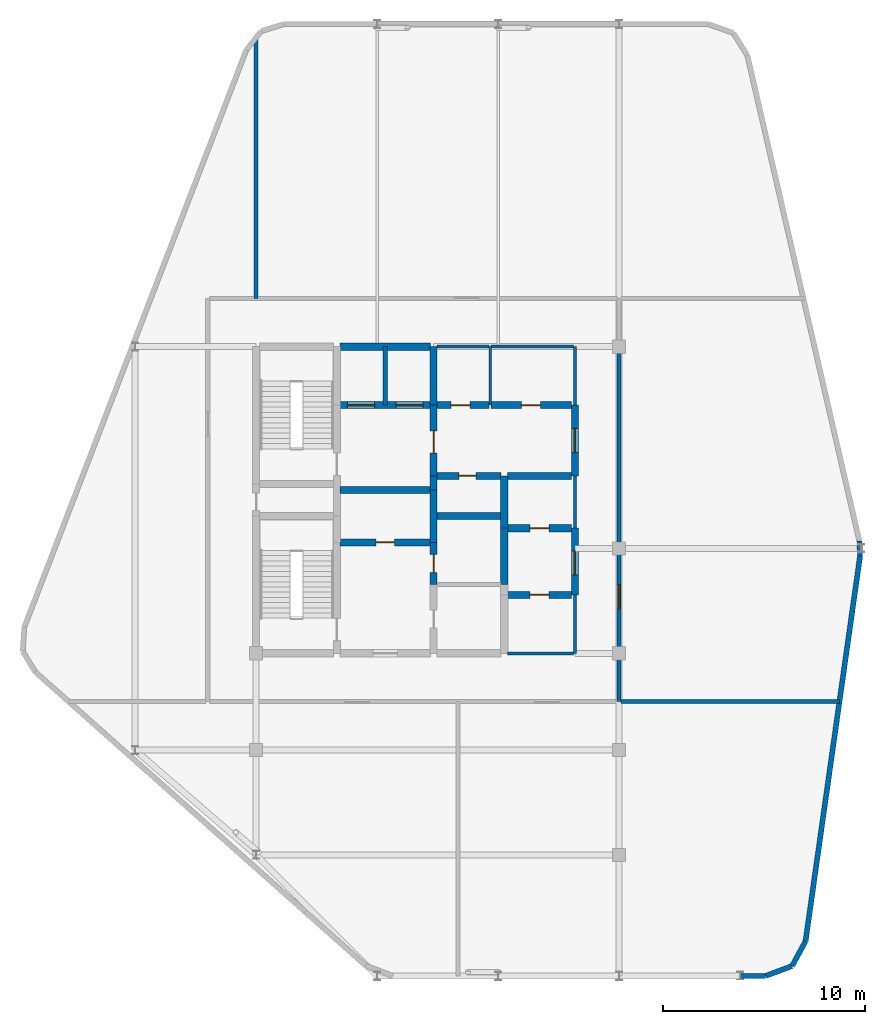
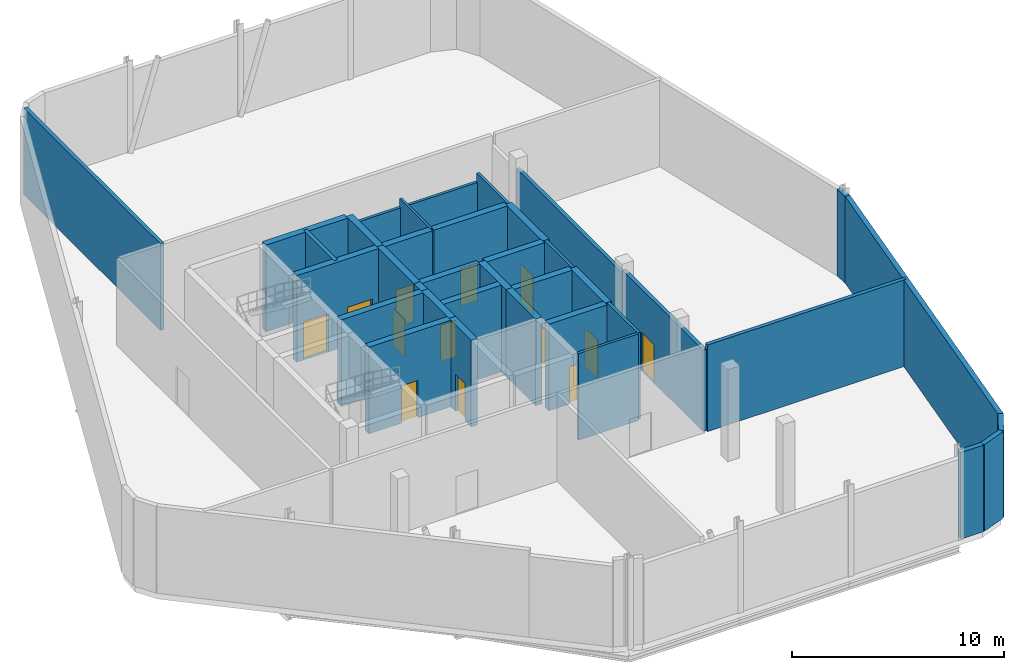
# One storey, part 4 of 6: 37 walls, 13 doors, 13 openings.
"""IFC4 building model written with IfcOpenShell, lengths in metres."""

from ifc_helpers import new_model, si_unit, direction, frame, frame_2d, origin, place, context, subcontext, project, spatial, rectangle, extrude, material, layer, layer_set, type_object, element, fill, save


model = new_model("IFC4")

# Units and contexts
model_context = context("Model", 3, precision=1e-05, world=origin(), true_north=direction((0.0, 1.0)))
body_context = subcontext(model_context, "Body", "Model", "MODEL_VIEW")
ifc_project = project(units=[si_unit("LENGTHUNIT", "METRE"), si_unit("AREAUNIT", "SQUARE_METRE"), si_unit("VOLUMEUNIT", "CUBIC_METRE"), si_unit("PLANEANGLEUNIT", "RADIAN"), si_unit("MASSUNIT", "GRAM", prefix="KILO")], contexts=[model_context])

# Site, building, storey
site_placement = place(None, origin())
site = spatial("IfcSite", under=ifc_project, at=site_placement, CompositionType="ELEMENT")
building_placement = place(site_placement, origin())
building = spatial("IfcBuilding", under=site, at=building_placement, Name="Keshet Zoharim Tower", CompositionType="ELEMENT")
storey_placement = place(building_placement, frame((0.0, 0.0, 314.699951171875)))
storey = spatial("IfcBuildingStorey", under=building, at=storey_placement, Name="L79", CompositionType="ELEMENT", Elevation=314.699951171875)

# Walls
ifc_material_1 = material(Name="Gypsum Plasterboard", Category="gypsum")
ifc_layer_1 = layer(ifc_material_1, 0.14990234375)
ifc_layer_set_1 = layer_set([ifc_layer_1], Name="Gypsum Plasterboard")
wall_type_1 = type_object("IfcWallType", Name="WL-CLIN-150", PredefinedType="STANDARD", material=ifc_layer_set_1)
wall_1_placement = place(storey_placement, frame((30.800048828125, 22.699951171875, 0.0), z_axis=(0.0, 0.0, 1.0), x_axis=(0.0, 1.0, 0.0)))
element("IfcWall", 1, at=wall_1_placement, inside=storey, type_object=wall_type_1, Name="L79 Interior Wall 023", PredefinedType="STANDARD", context=body_context, shape_type="SweptSolid", body=[
    extrude(rectangle(XDim=2.900146484375, YDim=0.14990234375, at=frame_2d((1.4501953125, 0.0))), origin(), (0.0, 0.0, 1.0), 4.989990234375),
])
wall_2_placement = place(storey_placement, frame((30.800048828125, 28.89990234375, 0.0), z_axis=(0.0, 0.0, 1.0), x_axis=(0.0, 1.0, 0.0)))
element("IfcWall", 2, at=wall_2_placement, inside=storey, type_object=wall_type_1, Name="L79 Interior Wall 025", PredefinedType="STANDARD", context=body_context, shape_type="SweptSolid", body=[
    extrude(rectangle(XDim=2.60009765625, YDim=0.14990234375, at=frame_2d((1.300048828125, 0.0))), origin(), (0.0, 0.0, 1.0), 4.989990234375),
])
wall_3_placement = place(storey_placement, frame((30.800048828125, 35.0, 0.0), z_axis=(0.0, 0.0, 1.0), x_axis=(0.0, 1.0, 0.0)))
element("IfcWall", 3, at=wall_3_placement, inside=storey, type_object=wall_type_1, Name="L79 Interior Wall 027", PredefinedType="STANDARD", context=body_context, shape_type="SweptSolid", body=[
    extrude(rectangle(XDim=2.89990234375, YDim=0.14990234375, at=frame_2d((1.449951171875, 0.0))), origin(), (0.0, 0.0, 1.0), 4.989990234375),
])
wall_4_placement = place(storey_placement, frame((27.4599609375, 22.699951171875, 0.0), z_axis=(0.0, 0.0, 1.0), x_axis=(1.0, 0.0, 0.0)))
element("IfcWall", 4, at=wall_4_placement, inside=storey, type_object=wall_type_1, Name="L79 Interior Wall 035", PredefinedType="STANDARD", context=body_context, shape_type="SweptSolid", body=[
    extrude(rectangle(XDim=3.280029296875, YDim=0.14990234375, at=frame_2d((1.64013671875, 0.0))), origin(), (0.0, 0.0, 1.0), 4.989990234375),
])
wall_5_placement = place(storey_placement, frame((23.9599609375, 37.89990234375, 0.0), z_axis=(0.0, 0.0, 1.0), x_axis=(1.0, 0.0, 0.0)))
element("IfcWall", 5, at=wall_5_placement, inside=storey, type_object=wall_type_1, Name="L79 Interior Wall 051", PredefinedType="STANDARD", context=body_context, shape_type="SweptSolid", body=[
    extrude(rectangle(XDim=2.594970703125, YDim=0.14990234375, at=frame_2d((1.29736328125, 0.0))), origin(), (0.0, 0.0, 1.0), 4.489990234375),
])
wall_6_placement = place(storey_placement, frame((26.64501953125, 37.89990234375, 0.0), z_axis=(0.0, 0.0, 1.0), x_axis=(1.0, 0.0, 0.0)))
element("IfcWall", 6, at=wall_6_placement, inside=storey, type_object=wall_type_1, Name="L79 Interior Wall 052", PredefinedType="STANDARD", context=body_context, shape_type="SweptSolid", body=[
    extrude(rectangle(XDim=4.094970703125, YDim=0.14990234375, at=frame_2d((2.04736328125, 0.0))), origin(), (0.0, 0.0, 1.0), 4.489990234375),
])

# Wall, opening, door
ifc_material_2 = material(Name="Concrete C60/75", Category="concrete")
ifc_layer_2 = layer(ifc_material_2, 0.35009765625)
ifc_layer_set_2 = layer_set([ifc_layer_2], Name="Concrete C60/75")
wall_type_2 = type_object("IfcWallType", Name="WL-CORE-350", PredefinedType="SHEAR", material=ifc_layer_set_2)
wall_7_placement = place(storey_placement, frame((23.800048828125, 26.10009765625, 0.0), z_axis=(0.0, 0.0, 1.0), x_axis=(0.0, 1.0, 0.0)))
wall_7 = element("IfcWall", 7, at=wall_7_placement, inside=storey, type_object=wall_type_2, Name="L79 Core Shear Wall 012", PredefinedType="SHEAR", context=body_context, shape_type="SweptSolid", body=[
    extrude(rectangle(XDim=2.099853515625, YDim=0.35009765625, at=frame_2d((1.0498046875, 0.0))), origin(), (0.0, 0.0, 1.0), 4.989990234375),
])
opening_1_placement = place(wall_7_placement, frame((0.60009765625, 0.0, 0.0)))
opening_1 = element("IfcOpeningElement", 8, at=opening_1_placement, cuts=wall_7, Name="Opening D-F690", PredefinedType="OPENING", context=body_context, shape_type="SweptSolid", body=[
    extrude(rectangle(XDim=0.89990234375, YDim=2.14990234375, at=frame_2d((0.449951171875, 1.074951171875))), frame((0.0, 0.18505859375, 0.0), z_axis=(0.0, -1.0, 0.0), x_axis=(1.0, 0.0, 0.0)), (0.0, 0.0, 1.0), 0.3701171875),
])
ifc_material_3 = material(Name="Hardwood Timber", Category="wood")
door_type_1 = type_object("IfcDoorType", Name="DR-FD60-090", OperationType="NOTDEFINED", PredefinedType="DOOR", material=ifc_material_3)
door_1_placement = place(opening_1_placement, origin())
door_1 = element("IfcDoor", 9, at=door_1_placement, inside=storey, type_object=door_type_1, Name="L79 Core Electrical Room Door", OperationType="SINGLE_SWING_LEFT", OverallHeight=2.14990234375, OverallWidth=0.89990234375, PredefinedType="DOOR", context=body_context, shape_type="SweptSolid", body=[
    extrude(rectangle(XDim=0.89990234375, YDim=2.14990234375, at=frame_2d((0.449951171875, 1.074951171875))), frame((0.0, 0.02490234375, 0.0), z_axis=(0.0, -1.0, 0.0), x_axis=(1.0, 0.0, 0.0)), (0.0, 0.0, 1.0), 0.050048828125),
])
fill(opening_1, door_1)

# Walls
wall_8_placement = place(storey_placement, frame((23.800048828125, 28.199951171875, 0.0), z_axis=(0.0, 0.0, 1.0), x_axis=(0.0, 1.0, 0.0)))
element("IfcWall", 10, at=wall_8_placement, inside=storey, type_object=wall_type_2, Name="L79 Core Shear Wall 013", PredefinedType="SHEAR", context=body_context, shape_type="SweptSolid", body=[
    extrude(rectangle(XDim=2.60009765625, YDim=0.35009765625, at=frame_2d((1.300048828125, 0.0))), origin(), (0.0, 0.0, 1.0), 4.989990234375),
])
wall_9_placement = place(storey_placement, frame((23.800048828125, 30.800048828125, 0.0), z_axis=(0.0, 0.0, 1.0), x_axis=(0.0, 1.0, 0.0)))
element("IfcWall", 11, at=wall_9_placement, inside=storey, type_object=wall_type_2, Name="L79 Core Shear Wall 014", PredefinedType="SHEAR", context=body_context, shape_type="SweptSolid", body=[
    extrude(rectangle(XDim=0.699951171875, YDim=0.35009765625, at=frame_2d((0.35009765625, 0.0))), origin(), (0.0, 0.0, 1.0), 4.989990234375),
])

# Wall, opening, door
wall_10_placement = place(storey_placement, frame((23.800048828125, 31.5, 0.0), z_axis=(0.0, 0.0, 1.0), x_axis=(0.0, 1.0, 0.0)))
wall_10 = element("IfcWall", 12, at=wall_10_placement, inside=storey, type_object=wall_type_2, Name="L79 Core Shear Wall 015", PredefinedType="SHEAR", context=body_context, shape_type="SweptSolid", body=[
    extrude(rectangle(XDim=3.5, YDim=0.35009765625, at=frame_2d((1.75, 0.0))), origin(), (0.0, 0.0, 1.0), 4.989990234375),
])
opening_2_placement = place(wall_10_placement, frame((1.126953125, 0.0, 0.0)))
opening_2 = element("IfcOpeningElement", 13, at=opening_2_placement, cuts=wall_10, Name="Opening D-F611", PredefinedType="OPENING", context=body_context, shape_type="SweptSolid", body=[
    extrude(rectangle(XDim=1.10009765625, YDim=2.14990234375, at=frame_2d((0.550048828125, 1.074951171875))), frame((0.0, 0.18505859375, 0.0), z_axis=(0.0, -1.0, 0.0), x_axis=(1.0, 0.0, 0.0)), (0.0, 0.0, 1.0), 0.3701171875),
])
door_type_2 = type_object("IfcDoorType", Name="DR-FD60-110", OperationType="NOTDEFINED", PredefinedType="DOOR", material=ifc_material_3)
door_2_placement = place(opening_2_placement, origin())
door_2 = element("IfcDoor", 14, at=door_2_placement, inside=storey, type_object=door_type_2, Name="L79 Firefighting Lobby Fire Door", OperationType="SINGLE_SWING_RIGHT", OverallHeight=2.14990234375, OverallWidth=1.10009765625, PredefinedType="DOOR", context=body_context, shape_type="SweptSolid", body=[
    extrude(rectangle(XDim=1.10009765625, YDim=2.14990234375, at=frame_2d((0.550048828125, 1.074951171875))), frame((0.0, 0.02490234375, 0.0), z_axis=(0.0, -1.0, 0.0), x_axis=(1.0, 0.0, 0.0)), (0.0, 0.0, 1.0), 0.050048828125),
])
fill(opening_2, door_2)

# Walls
wall_11_placement = place(storey_placement, frame((23.800048828125, 35.0, 0.0), z_axis=(0.0, 0.0, 1.0), x_axis=(0.0, 1.0, 0.0)))
element("IfcWall", 15, at=wall_11_placement, inside=storey, type_object=wall_type_2, Name="L79 Core Shear Wall 016", PredefinedType="SHEAR", context=body_context, shape_type="SweptSolid", body=[
    extrude(rectangle(XDim=2.89990234375, YDim=0.35009765625, at=frame_2d((1.449951171875, 0.0))), origin(), (0.0, 0.0, 1.0), 4.989990234375),
])
wall_12_placement = place(storey_placement, frame((27.300048828125, 26.10009765625, 0.0), z_axis=(0.0, 0.0, 1.0), x_axis=(0.0, 1.0, 0.0)))
element("IfcWall", 16, at=wall_12_placement, inside=storey, type_object=wall_type_2, Name="L79 Core Shear Wall 021", PredefinedType="SHEAR", context=body_context, shape_type="SweptSolid", body=[
    extrude(rectangle(XDim=2.7998046875, YDim=0.35009765625, at=frame_2d((1.39990234375, 0.0))), origin(), (0.0, 0.0, 1.0), 4.989990234375),
])
wall_13_placement = place(storey_placement, frame((27.300048828125, 28.89990234375, 0.0), z_axis=(0.0, 0.0, 1.0), x_axis=(0.0, 1.0, 0.0)))
element("IfcWall", 17, at=wall_13_placement, inside=storey, type_object=wall_type_2, Name="L79 Core Shear Wall 022", PredefinedType="SHEAR", context=body_context, shape_type="SweptSolid", body=[
    extrude(rectangle(XDim=2.60009765625, YDim=0.35009765625, at=frame_2d((1.300048828125, 0.0))), origin(), (0.0, 0.0, 1.0), 4.989990234375),
])

# Wall, opening, door
wall_14_placement = place(storey_placement, frame((30.800048828125, 25.60009765625, 0.0), z_axis=(0.0, 0.0, 1.0), x_axis=(0.0, 1.0, 0.0)))
wall_14 = element("IfcWall", 18, at=wall_14_placement, inside=storey, type_object=wall_type_2, Name="L79 Core Shear Wall 024", PredefinedType="SHEAR", context=body_context, shape_type="SweptSolid", body=[
    extrude(rectangle(XDim=3.2998046875, YDim=0.35009765625, at=frame_2d((1.64990234375, 0.0))), origin(), (0.0, 0.0, 1.0), 4.989990234375),
])
opening_3_placement = place(wall_14_placement, frame((0.97802734375, 0.0, 0.0)))
opening_3 = element("IfcOpeningElement", 19, at=opening_3_placement, cuts=wall_14, Name="Opening D-F612", PredefinedType="OPENING", context=body_context, shape_type="SweptSolid", body=[
    extrude(rectangle(XDim=1.199951171875, YDim=2.199951171875, at=frame_2d((0.60009765625, 1.10009765625))), frame((0.0, 0.18505859375, 0.0), z_axis=(0.0, -1.0, 0.0), x_axis=(1.0, 0.0, 0.0)), (0.0, 0.0, 1.0), 0.3701171875),
])
door_type_3 = type_object("IfcDoorType", Name="DR-FD60-120", OperationType="NOTDEFINED", PredefinedType="DOOR", material=ifc_material_3)
door_3_placement = place(opening_3_placement, origin())
door_3 = element("IfcDoor", 20, at=door_3_placement, inside=storey, type_object=door_type_3, Name="L79 East Lift Lobby Fire Door", OperationType="SINGLE_SWING_LEFT", OverallHeight=2.199951171875, OverallWidth=1.199951171875, PredefinedType="DOOR", context=body_context, shape_type="SweptSolid", body=[
    extrude(rectangle(XDim=1.199951171875, YDim=2.199951171875, at=frame_2d((0.60009765625, 1.10009765625))), frame((0.0, 0.02490234375, 0.0), z_axis=(0.0, -1.0, 0.0), x_axis=(1.0, 0.0, 0.0)), (0.0, 0.0, 1.0), 0.050048828125),
])
fill(opening_3, door_3)

wall_15_placement = place(storey_placement, frame((30.800048828125, 31.5, 0.0), z_axis=(0.0, 0.0, 1.0), x_axis=(0.0, 1.0, 0.0)))
wall_15 = element("IfcWall", 21, at=wall_15_placement, inside=storey, type_object=wall_type_2, Name="L79 Core Shear Wall 026", PredefinedType="SHEAR", context=body_context, shape_type="SweptSolid", body=[
    extrude(rectangle(XDim=3.5, YDim=0.35009765625, at=frame_2d((1.75, 0.0))), origin(), (0.0, 0.0, 1.0), 4.989990234375),
])
opening_4_placement = place(wall_15_placement, frame((1.14990234375, 0.0, 0.0)))
opening_4 = element("IfcOpeningElement", 22, at=opening_4_placement, cuts=wall_15, Name="Opening D-F612", PredefinedType="OPENING", context=body_context, shape_type="SweptSolid", body=[
    extrude(rectangle(XDim=1.199951171875, YDim=2.199951171875, at=frame_2d((0.60009765625, 1.10009765625))), frame((0.0, 0.18505859375, 0.0), z_axis=(0.0, -1.0, 0.0), x_axis=(1.0, 0.0, 0.0)), (0.0, 0.0, 1.0), 0.3701171875),
])
door_4_placement = place(opening_4_placement, origin())
door_4 = element("IfcDoor", 23, at=door_4_placement, inside=storey, type_object=door_type_3, Name="L79 North Lift Lobby East Fire Door", OperationType="SINGLE_SWING_RIGHT", OverallHeight=2.199951171875, OverallWidth=1.199951171875, PredefinedType="DOOR", context=body_context, shape_type="SweptSolid", body=[
    extrude(rectangle(XDim=1.199951171875, YDim=2.199951171875, at=frame_2d((0.60009765625, 1.10009765625))), frame((0.0, 0.02490234375, 0.0), z_axis=(0.0, -1.0, 0.0), x_axis=(1.0, 0.0, 0.0)), (0.0, 0.0, 1.0), 0.050048828125),
])
fill(opening_4, door_4)

wall_16_placement = place(storey_placement, frame((27.4599609375, 25.60009765625, 0.0), z_axis=(0.0, 0.0, 1.0), x_axis=(1.0, 0.0, 0.0)))
wall_16 = element("IfcWall", 24, at=wall_16_placement, inside=storey, type_object=wall_type_2, Name="L79 Core Shear Wall 036", PredefinedType="SHEAR", context=body_context, shape_type="SweptSolid", body=[
    extrude(rectangle(XDim=3.179931640625, YDim=0.35009765625, at=frame_2d((1.58984375, 0.0))), origin(), (0.0, 0.0, 1.0), 4.989990234375),
])
opening_5_placement = place(wall_16_placement, frame((1.114990234375, 0.0, 0.0)))
opening_5 = element("IfcOpeningElement", 25, at=opening_5_placement, cuts=wall_16, Name="Opening D-F695", PredefinedType="OPENING", context=body_context, shape_type="SweptSolid", body=[
    extrude(rectangle(XDim=0.949951171875, YDim=2.14990234375, at=frame_2d((0.47509765625, 1.074951171875))), frame((0.0, 0.18505859375, 0.0), z_axis=(0.0, -1.0, 0.0), x_axis=(1.0, 0.0, 0.0)), (0.0, 0.0, 1.0), 0.3701171875),
])
door_type_4 = type_object("IfcDoorType", Name="DR-FD60-095", OperationType="NOTDEFINED", PredefinedType="DOOR", material=ifc_material_3)
door_5_placement = place(opening_5_placement, origin())
door_5 = element("IfcDoor", 26, at=door_5_placement, inside=storey, type_object=door_type_4, Name="L79 Plant Valve Alcove Door", OperationType="SINGLE_SWING_LEFT", OverallHeight=2.14990234375, OverallWidth=0.949951171875, PredefinedType="DOOR", context=body_context, shape_type="SweptSolid", body=[
    extrude(rectangle(XDim=0.949951171875, YDim=2.14990234375, at=frame_2d((0.47509765625, 1.074951171875))), frame((0.0, 0.02490234375, 0.0), z_axis=(0.0, -1.0, 0.0), x_axis=(1.0, 0.0, 0.0)), (0.0, 0.0, 1.0), 0.050048828125),
])
fill(opening_5, door_5)

wall_17_placement = place(storey_placement, frame((19.159912109375, 28.199951171875, 0.0), z_axis=(0.0, 0.0, 1.0), x_axis=(1.0, 0.0, 0.0)))
wall_17 = element("IfcWall", 27, at=wall_17_placement, inside=storey, type_object=wall_type_2, Name="L79 Core Shear Wall 038", PredefinedType="SHEAR", context=body_context, shape_type="SweptSolid", body=[
    extrude(rectangle(XDim=4.47998046875, YDim=0.35009765625, at=frame_2d((2.239990234375, 0.0))), origin(), (0.0, 0.0, 1.0), 4.989990234375),
])
opening_6_placement = place(wall_17_placement, frame((1.7900390625, 0.0, 0.0)))
opening_6 = element("IfcOpeningElement", 28, at=opening_6_placement, cuts=wall_17, Name="Opening D-F690", PredefinedType="OPENING", context=body_context, shape_type="SweptSolid", body=[
    extrude(rectangle(XDim=0.89990234375, YDim=2.14990234375, at=frame_2d((0.449951171875, 1.074951171875))), frame((0.0, 0.18505859375, 0.0), z_axis=(0.0, -1.0, 0.0), x_axis=(1.0, 0.0, 0.0)), (0.0, 0.0, 1.0), 0.3701171875),
])
door_6_placement = place(opening_6_placement, frame((0.89990234375, 0.0, 0.0), z_axis=(0.0, 0.0, 1.0), x_axis=(-1.0, 0.0, 0.0)))
door_6 = element("IfcDoor", 29, at=door_6_placement, inside=storey, type_object=door_type_1, Name="L79 High-Rise Overrun Door", OperationType="SINGLE_SWING_RIGHT", OverallHeight=2.14990234375, OverallWidth=0.89990234375, PredefinedType="DOOR", context=body_context, shape_type="SweptSolid", body=[
    extrude(rectangle(XDim=0.89990234375, YDim=2.14990234375, at=frame_2d((0.449951171875, 1.074951171875))), frame((0.0, 0.02490234375, 0.0), z_axis=(0.0, -1.0, 0.0), x_axis=(1.0, 0.0, 0.0)), (0.0, 0.0, 1.0), 0.050048828125),
])
fill(opening_6, door_6)

wall_18_placement = place(storey_placement, frame((27.4599609375, 28.89990234375, 0.0), z_axis=(0.0, 0.0, 1.0), x_axis=(1.0, 0.0, 0.0)))
wall_18 = element("IfcWall", 30, at=wall_18_placement, inside=storey, type_object=wall_type_2, Name="L79 Core Shear Wall 039", PredefinedType="SHEAR", context=body_context, shape_type="SweptSolid", body=[
    extrude(rectangle(XDim=3.179931640625, YDim=0.35009765625, at=frame_2d((1.58984375, 0.0))), origin(), (0.0, 0.0, 1.0), 4.989990234375),
])
opening_7_placement = place(wall_18_placement, frame((1.114990234375, 0.0, 0.0)))
opening_7 = element("IfcOpeningElement", 31, at=opening_7_placement, cuts=wall_18, Name="Opening D-F695", PredefinedType="OPENING", context=body_context, shape_type="SweptSolid", body=[
    extrude(rectangle(XDim=0.949951171875, YDim=2.14990234375, at=frame_2d((0.47509765625, 1.074951171875))), frame((0.0, 0.18505859375, 0.0), z_axis=(0.0, -1.0, 0.0), x_axis=(1.0, 0.0, 0.0)), (0.0, 0.0, 1.0), 0.3701171875),
])
door_7_placement = place(opening_7_placement, frame((0.949951171875, 0.0, 0.0), z_axis=(0.0, 0.0, 1.0), x_axis=(-1.0, 0.0, 0.0)))
door_7 = element("IfcDoor", 32, at=door_7_placement, inside=storey, type_object=door_type_4, Name="L79 Parcel Store Door", OperationType="SINGLE_SWING_LEFT", OverallHeight=2.14990234375, OverallWidth=0.949951171875, PredefinedType="DOOR", context=body_context, shape_type="SweptSolid", body=[
    extrude(rectangle(XDim=0.949951171875, YDim=2.14990234375, at=frame_2d((0.47509765625, 1.074951171875))), frame((0.0, 0.02490234375, 0.0), z_axis=(0.0, -1.0, 0.0), x_axis=(1.0, 0.0, 0.0)), (0.0, 0.0, 1.0), 0.050048828125),
])
fill(opening_7, door_7)

# Walls
wall_19_placement = place(storey_placement, frame((23.9599609375, 29.5, 0.0), z_axis=(0.0, 0.0, 1.0), x_axis=(1.0, 0.0, 0.0)))
element("IfcWall", 33, at=wall_19_placement, inside=storey, type_object=wall_type_2, Name="L79 Core Shear Wall 041", PredefinedType="SHEAR", context=body_context, shape_type="SweptSolid", body=[
    extrude(rectangle(XDim=3.179931640625, YDim=0.35009765625, at=frame_2d((1.58984375, 0.0))), origin(), (0.0, 0.0, 1.0), 4.989990234375),
])
wall_20_placement = place(storey_placement, frame((19.159912109375, 30.800048828125, 0.0), z_axis=(0.0, 0.0, 1.0), x_axis=(1.0, 0.0, 0.0)))
element("IfcWall", 34, at=wall_20_placement, inside=storey, type_object=wall_type_2, Name="L79 Core Shear Wall 042", PredefinedType="SHEAR", context=body_context, shape_type="SweptSolid", body=[
    extrude(rectangle(XDim=4.47998046875, YDim=0.35009765625, at=frame_2d((2.239990234375, 0.0))), origin(), (0.0, 0.0, 1.0), 4.989990234375),
])

# Wall, opening, door
wall_21_placement = place(storey_placement, frame((23.9599609375, 31.5, 0.0), z_axis=(0.0, 0.0, 1.0), x_axis=(1.0, 0.0, 0.0)))
wall_21 = element("IfcWall", 35, at=wall_21_placement, inside=storey, type_object=wall_type_2, Name="L79 Core Shear Wall 044", PredefinedType="SHEAR", context=body_context, shape_type="SweptSolid", body=[
    extrude(rectangle(XDim=3.179931640625, YDim=0.35009765625, at=frame_2d((1.58984375, 0.0))), origin(), (0.0, 0.0, 1.0), 4.989990234375),
])
opening_8_placement = place(wall_21_placement, frame((1.093994140625, 0.0, 0.0)))
opening_8 = element("IfcOpeningElement", 36, at=opening_8_placement, cuts=wall_21, Name="Opening D-RS85", PredefinedType="OPENING", context=body_context, shape_type="SweptSolid", body=[
    extrude(rectangle(XDim=0.85009765625, YDim=2.10009765625, at=frame_2d((0.425048828125, 1.050048828125))), frame((0.0, 0.18505859375, 0.0), z_axis=(0.0, -1.0, 0.0), x_axis=(1.0, 0.0, 0.0)), (0.0, 0.0, 1.0), 0.3701171875),
])
door_type_5 = type_object("IfcDoorType", Name="DR-RIS-085", OperationType="NOTDEFINED", PredefinedType="DOOR", material=ifc_material_3)
door_8_placement = place(opening_8_placement, origin())
door_8 = element("IfcDoor", 37, at=door_8_placement, inside=storey, type_object=door_type_5, Name="L79 Telecom Riser Access Cupboard Door", OperationType="SINGLE_SWING_RIGHT", OverallHeight=2.10009765625, OverallWidth=0.85009765625, PredefinedType="DOOR", context=body_context, shape_type="SweptSolid", body=[
    extrude(rectangle(XDim=0.85009765625, YDim=2.10009765625, at=frame_2d((0.425048828125, 1.050048828125))), frame((0.0, 0.02490234375, 0.0), z_axis=(0.0, -1.0, 0.0), x_axis=(1.0, 0.0, 0.0)), (0.0, 0.0, 1.0), 0.050048828125),
])
fill(opening_8, door_8)

# Wall
wall_22_placement = place(storey_placement, frame((27.4599609375, 31.5, 0.0), z_axis=(0.0, 0.0, 1.0), x_axis=(1.0, 0.0, 0.0)))
element("IfcWall", 38, at=wall_22_placement, inside=storey, type_object=wall_type_2, Name="L79 Core Shear Wall 045", PredefinedType="SHEAR", context=body_context, shape_type="SweptSolid", body=[
    extrude(rectangle(XDim=3.179931640625, YDim=0.35009765625, at=frame_2d((1.58984375, 0.0))), origin(), (0.0, 0.0, 1.0), 4.989990234375),
])

# Wall, openings, doors
wall_23_placement = place(storey_placement, frame((19.159912109375, 35.0, 0.0), z_axis=(0.0, 0.0, 1.0), x_axis=(1.0, 0.0, 0.0)))
wall_23 = element("IfcWall", 39, at=wall_23_placement, inside=storey, type_object=wall_type_2, Name="L79 Core Shear Wall 046", PredefinedType="SHEAR", context=body_context, shape_type="SweptSolid", body=[
    extrude(rectangle(XDim=4.47998046875, YDim=0.35009765625, at=frame_2d((2.239990234375, 0.0))), origin(), (0.0, 0.0, 1.0), 4.989990234375),
])
opening_9_placement = place(wall_23_placement, frame((0.364990234375, 0.0, 0.0)))
opening_9 = element("IfcOpeningElement", 40, at=opening_9_placement, cuts=wall_23, Name="Opening LD-02", PredefinedType="OPENING", context=body_context, shape_type="SweptSolid", body=[
    extrude(rectangle(XDim=1.35009765625, YDim=2.199951171875, at=frame_2d((0.675048828125, 1.10009765625))), frame((0.0, 0.18505859375, 0.0), z_axis=(0.0, -1.0, 0.0), x_axis=(1.0, 0.0, 0.0)), (0.0, 0.0, 1.0), 0.3701171875),
])
opening_10_placement = place(wall_23_placement, frame((2.764892578125, 0.0, 0.0)))
opening_10 = element("IfcOpeningElement", 41, at=opening_10_placement, cuts=wall_23, Name="Opening LD-02", PredefinedType="OPENING", context=body_context, shape_type="SweptSolid", body=[
    extrude(rectangle(XDim=1.35009765625, YDim=2.199951171875, at=frame_2d((0.675048828125, 1.10009765625))), frame((0.0, 0.18505859375, 0.0), z_axis=(0.0, -1.0, 0.0), x_axis=(1.0, 0.0, 0.0)), (0.0, 0.0, 1.0), 0.3701171875),
])
ifc_material_4 = material(Name="Steel S355", Category="steel")
door_type_6 = type_object("IfcDoorType", Name="DR-LD02-135", OperationType="DOUBLE_DOOR_SLIDING", PredefinedType="DOOR", material=ifc_material_4)
door_9_placement = place(opening_9_placement, origin())
door_9 = element("IfcDoor", 42, at=door_9_placement, inside=storey, type_object=door_type_6, Name="L79 Firefighting Lift Landing Door FF-01", OperationType="DOUBLE_DOOR_SLIDING", OverallHeight=2.199951171875, OverallWidth=1.35009765625, PredefinedType="DOOR", context=body_context, shape_type="SweptSolid", body=[
    extrude(rectangle(XDim=1.35009765625, YDim=2.199951171875, at=frame_2d((0.675048828125, 1.10009765625))), frame((0.0, 0.02490234375, 0.0), z_axis=(0.0, -1.0, 0.0), x_axis=(1.0, 0.0, 0.0)), (0.0, 0.0, 1.0), 0.050048828125),
])
fill(opening_9, door_9)
door_10_placement = place(opening_10_placement, origin())
door_10 = element("IfcDoor", 43, at=door_10_placement, inside=storey, type_object=door_type_6, Name="L79 Firefighting Lift Landing Door FF-02", OperationType="DOUBLE_DOOR_SLIDING", OverallHeight=2.199951171875, OverallWidth=1.35009765625, PredefinedType="DOOR", context=body_context, shape_type="SweptSolid", body=[
    extrude(rectangle(XDim=1.35009765625, YDim=2.199951171875, at=frame_2d((0.675048828125, 1.10009765625))), frame((0.0, 0.02490234375, 0.0), z_axis=(0.0, -1.0, 0.0), x_axis=(1.0, 0.0, 0.0)), (0.0, 0.0, 1.0), 0.050048828125),
])
fill(opening_10, door_10)

# Wall, opening, door
wall_24_placement = place(storey_placement, frame((23.9599609375, 35.0, 0.0), z_axis=(0.0, 0.0, 1.0), x_axis=(1.0, 0.0, 0.0)))
wall_24 = element("IfcWall", 44, at=wall_24_placement, inside=storey, type_object=wall_type_2, Name="L79 Core Shear Wall 047", PredefinedType="SHEAR", context=body_context, shape_type="SweptSolid", body=[
    extrude(rectangle(XDim=2.594970703125, YDim=0.35009765625, at=frame_2d((1.29736328125, 0.0))), origin(), (0.0, 0.0, 1.0), 4.989990234375),
])
opening_11_placement = place(wall_24_placement, frame((0.69091796875, 0.0, 0.0)))
opening_11 = element("IfcOpeningElement", 45, at=opening_11_placement, cuts=wall_24, Name="Opening D-F695", PredefinedType="OPENING", context=body_context, shape_type="SweptSolid", body=[
    extrude(rectangle(XDim=0.949951171875, YDim=2.14990234375, at=frame_2d((0.47509765625, 1.074951171875))), frame((0.0, 0.18505859375, 0.0), z_axis=(0.0, -1.0, 0.0), x_axis=(1.0, 0.0, 0.0)), (0.0, 0.0, 1.0), 0.3701171875),
])
door_11_placement = place(opening_11_placement, frame((0.949951171875, 0.0, 0.0), z_axis=(0.0, 0.0, 1.0), x_axis=(-1.0, 0.0, 0.0)))
door_11 = element("IfcDoor", 46, at=door_11_placement, inside=storey, type_object=door_type_4, Name="L79 Plant Maintenance Store Door", OperationType="SINGLE_SWING_LEFT", OverallHeight=2.14990234375, OverallWidth=0.949951171875, PredefinedType="DOOR", context=body_context, shape_type="SweptSolid", body=[
    extrude(rectangle(XDim=0.949951171875, YDim=2.14990234375, at=frame_2d((0.47509765625, 1.074951171875))), frame((0.0, 0.02490234375, 0.0), z_axis=(0.0, -1.0, 0.0), x_axis=(1.0, 0.0, 0.0)), (0.0, 0.0, 1.0), 0.050048828125),
])
fill(opening_11, door_11)

wall_25_placement = place(storey_placement, frame((26.64501953125, 35.0, 0.0), z_axis=(0.0, 0.0, 1.0), x_axis=(1.0, 0.0, 0.0)))
wall_25 = element("IfcWall", 47, at=wall_25_placement, inside=storey, type_object=wall_type_2, Name="L79 Core Shear Wall 048", PredefinedType="SHEAR", context=body_context, shape_type="SweptSolid", body=[
    extrude(rectangle(XDim=3.994873046875, YDim=0.35009765625, at=frame_2d((1.99755859375, 0.0))), origin(), (0.0, 0.0, 1.0), 4.989990234375),
])
opening_12_placement = place(wall_25_placement, frame((1.508056640625, 0.0, 0.0)))
opening_12 = element("IfcOpeningElement", 48, at=opening_12_placement, cuts=wall_25, Name="Opening D-F695", PredefinedType="OPENING", context=body_context, shape_type="SweptSolid", body=[
    extrude(rectangle(XDim=0.949951171875, YDim=2.14990234375, at=frame_2d((0.47509765625, 1.074951171875))), frame((0.0, 0.18505859375, 0.0), z_axis=(0.0, -1.0, 0.0), x_axis=(1.0, 0.0, 0.0)), (0.0, 0.0, 1.0), 0.3701171875),
])
door_12_placement = place(opening_12_placement, frame((0.949951171875, 0.0, 0.0), z_axis=(0.0, 0.0, 1.0), x_axis=(-1.0, 0.0, 0.0)))
door_12 = element("IfcDoor", 49, at=door_12_placement, inside=storey, type_object=door_type_4, Name="L79 Plant Spares Store Door", OperationType="SINGLE_SWING_RIGHT", OverallHeight=2.14990234375, OverallWidth=0.949951171875, PredefinedType="DOOR", context=body_context, shape_type="SweptSolid", body=[
    extrude(rectangle(XDim=0.949951171875, YDim=2.14990234375, at=frame_2d((0.47509765625, 1.074951171875))), frame((0.0, 0.02490234375, 0.0), z_axis=(0.0, -1.0, 0.0), x_axis=(1.0, 0.0, 0.0)), (0.0, 0.0, 1.0), 0.050048828125),
])
fill(opening_12, door_12)

# Walls
wall_26_placement = place(storey_placement, frame((19.159912109375, 37.89990234375, 0.0), z_axis=(0.0, 0.0, 1.0), x_axis=(1.0, 0.0, 0.0)))
element("IfcWall", 50, at=wall_26_placement, inside=storey, type_object=wall_type_2, Name="L79 Core Shear Wall 050", PredefinedType="SHEAR", context=body_context, shape_type="SweptSolid", body=[
    extrude(rectangle(XDim=4.47998046875, YDim=0.35009765625, at=frame_2d((2.239990234375, 0.0))), origin(), (0.0, 0.0, 1.0), 4.989990234375),
])
ifc_material_5 = material(Name="Concrete C50/60 precast", Category="concrete")
ifc_layer_3 = layer(ifc_material_5, 0.260009765625)
ifc_layer_set_3 = layer_set([ifc_layer_3], Name="Concrete C50/60 precast")
wall_type_3 = type_object("IfcWallType", Name="WL-EXT-260", PredefinedType="STANDARD", material=ifc_layer_set_3)
wall_27_placement = place(storey_placement, frame((44.916015625, 28.261962890625, 0.0), z_axis=(0.0, 0.0, 1.0), x_axis=(0.043770719053, -0.999041602814, 0.0)))
element("IfcWall", 51, at=wall_27_placement, inside=storey, type_object=wall_type_3, Name="L79 Exterior Facade Wall 10", PredefinedType="STANDARD", context=body_context, shape_type="SweptSolid", body=[
    extrude(rectangle(XDim=0.730712890625, YDim=0.260009765625, at=frame_2d((0.365234375, 0.0))), origin(), (0.0, 0.0, 1.0), 4.989990234375),
])
wall_28_placement = place(storey_placement, frame((44.947998046875, 27.531982421875, 0.0), z_axis=(0.0, 0.0, 1.0), x_axis=(-0.140140996848, -0.990131557422, 0.0)))
element("IfcWall", 52, at=wall_28_placement, inside=storey, type_object=wall_type_3, Name="L79 Exterior Facade Wall 11", PredefinedType="STANDARD", context=body_context, shape_type="SweptSolid", body=[
    extrude(rectangle(XDim=19.302490234375, YDim=0.260009765625, at=frame_2d((9.6513671875, 0.0))), origin(), (0.0, 0.0, 1.0), 4.989990234375),
])
wall_29_placement = place(storey_placement, frame((42.242919921875, 8.419921875, 0.0), z_axis=(0.0, 0.0, 1.0), x_axis=(-0.477776668589, -0.878481334436, 0.0)))
element("IfcWall", 53, at=wall_29_placement, inside=storey, type_object=wall_type_3, Name="L79 Exterior Facade Wall 12", PredefinedType="STANDARD", context=body_context, shape_type="SweptSolid", body=[
    extrude(rectangle(XDim=1.400146484375, YDim=0.260009765625, at=frame_2d((0.7001953125, 0.0))), origin(), (0.0, 0.0, 1.0), 4.989990234375),
])
wall_30_placement = place(storey_placement, frame((41.573974609375, 7.18994140625, 0.0), z_axis=(0.0, 0.0, 1.0), x_axis=(-0.936715710775, -0.350090955591, 0.0)))
element("IfcWall", 54, at=wall_30_placement, inside=storey, type_object=wall_type_3, Name="L79 Exterior Facade Wall 13", PredefinedType="STANDARD", context=body_context, shape_type="SweptSolid", body=[
    extrude(rectangle(XDim=1.399658203125, YDim=0.260009765625, at=frame_2d((0.69970703125, 0.0))), origin(), (0.0, 0.0, 1.0), 4.989990234375),
])
wall_31_placement = place(storey_placement, frame((40.262939453125, 6.699951171875, 0.0), z_axis=(0.0, 0.0, 1.0), x_axis=(-1.0, 0.0, 0.0)))
element("IfcWall", 55, at=wall_31_placement, inside=storey, type_object=wall_type_3, Name="L79 Exterior Facade Wall 14", PredefinedType="STANDARD", context=body_context, shape_type="SweptSolid", body=[
    extrude(rectangle(XDim=1.262939453125, YDim=0.260009765625, at=frame_2d((0.63134765625, 0.0))), origin(), (0.0, 0.0, 1.0), 4.989990234375),
])
ifc_material_6 = material(Name="Concrete C50/60", Category="concrete")
ifc_layer_4 = layer(ifc_material_6, 0.199951171875)
ifc_layer_set_4 = layer_set([ifc_layer_4], Name="Concrete C50/60")
wall_type_4 = type_object("IfcWallType", Name="WL-FIRE-200", PredefinedType="STANDARD", material=ifc_layer_set_4)
wall_32_placement = place(storey_placement, frame((15.0, 40.300048828125, 0.0), z_axis=(0.0, 0.0, 1.0), x_axis=(0.0, 1.0, 0.0)))
element("IfcWall", 56, at=wall_32_placement, inside=storey, type_object=wall_type_4, Name="L79 Interior Wall 005", PredefinedType="STANDARD", context=body_context, shape_type="SweptSolid", body=[
    extrude(rectangle(XDim=12.932861328125, YDim=0.199951171875, at=frame_2d((6.46630859375, 0.0))), origin(), (0.0, 0.0, 1.0), 4.989990234375),
])
wall_33_placement = place(storey_placement, frame((21.39990234375, 35.0, 0.0), z_axis=(0.0, 0.0, 1.0), x_axis=(0.0, 1.0, 0.0)))
element("IfcWall", 57, at=wall_33_placement, inside=storey, type_object=wall_type_4, Name="L79 Interior Wall 010", PredefinedType="STANDARD", context=body_context, shape_type="SweptSolid", body=[
    extrude(rectangle(XDim=2.89990234375, YDim=0.199951171875, at=frame_2d((1.449951171875, 0.0))), origin(), (0.0, 0.0, 1.0), 4.989990234375),
])

# Wall, opening, door
wall_34_placement = place(storey_placement, frame((33.0, 20.300048828125, 0.0), z_axis=(0.0, 0.0, 1.0), x_axis=(0.0, 1.0, 0.0)))
wall_34 = element("IfcWall", 58, at=wall_34_placement, inside=storey, type_object=wall_type_4, Name="L79 Interior Wall 028", PredefinedType="STANDARD", context=body_context, shape_type="SweptSolid", body=[
    extrude(rectangle(XDim=7.599853515625, YDim=0.199951171875, at=frame_2d((3.7998046875, 0.0))), origin(), (0.0, 0.0, 1.0), 4.699951171875),
])
opening_13_placement = place(wall_34_placement, frame((4.60009765625, 0.0, 0.0)))
opening_13 = element("IfcOpeningElement", 59, at=opening_13_placement, cuts=wall_34, Name="Opening D-F612", PredefinedType="OPENING", context=body_context, shape_type="SweptSolid", body=[
    extrude(rectangle(XDim=1.199951171875, YDim=2.199951171875, at=frame_2d((0.60009765625, 1.10009765625))), frame((0.0, 0.10986328125, 0.0), z_axis=(0.0, -1.0, 0.0), x_axis=(1.0, 0.0, 0.0)), (0.0, 0.0, 1.0), 0.219970703125),
])
door_13_placement = place(opening_13_placement, origin())
door_13 = element("IfcDoor", 60, at=door_13_placement, inside=storey, type_object=door_type_3, Name="L79 Domestic Water Tank Room Fire Door", OperationType="SINGLE_SWING_LEFT", OverallHeight=2.199951171875, OverallWidth=1.199951171875, PredefinedType="DOOR", context=body_context, shape_type="SweptSolid", body=[
    extrude(rectangle(XDim=1.199951171875, YDim=2.199951171875, at=frame_2d((0.60009765625, 1.10009765625))), frame((0.0, 0.02490234375, 0.0), z_axis=(0.0, -1.0, 0.0), x_axis=(1.0, 0.0, 0.0)), (0.0, 0.0, 1.0), 0.050048828125),
])
fill(opening_13, door_13)

# Walls
wall_35_placement = place(storey_placement, frame((33.0849609375, 20.300048828125, 0.0), z_axis=(0.0, 0.0, 1.0), x_axis=(1.0, 0.0, 0.0)))
element("IfcWall", 61, at=wall_35_placement, inside=storey, type_object=wall_type_4, Name="L79 Interior Wall 031", PredefinedType="STANDARD", context=body_context, shape_type="SweptSolid", body=[
    extrude(rectangle(XDim=10.8291015625, YDim=0.199951171875, at=frame_2d((5.41455078125, 0.0))), origin(), (0.0, 0.0, 1.0), 4.989990234375),
])
wall_36_placement = place(storey_placement, frame((33.0, 27.89990234375, 0.0), z_axis=(0.0, 0.0, 1.0), x_axis=(0.0, 1.0, 0.0)))
element("IfcWall", 62, at=wall_36_placement, inside=storey, type_object=wall_type_4, Name="L79 Interior Wall 028 Part 2", PredefinedType="STANDARD", context=body_context, shape_type="SweptSolid", body=[
    extrude(rectangle(XDim=10.0, YDim=0.199951171875, at=frame_2d((5.0, 0.0))), origin(), (0.0, 0.0, 1.0), 4.489990234375),
])
ifc_layer_5 = layer(ifc_material_1, 0.1201171875)
ifc_layer_set_5 = layer_set([ifc_layer_5], Name="Gypsum Plasterboard")
wall_type_5 = type_object("IfcWallType", Name="WL-PART-120", PredefinedType="PARTITIONING", material=ifc_layer_set_5)
wall_37_placement = place(storey_placement, frame((26.60009765625, 35.0, 0.0), z_axis=(0.0, 0.0, 1.0), x_axis=(0.0, 1.0, 0.0)))
element("IfcWall", 63, at=wall_37_placement, inside=storey, type_object=wall_type_5, Name="L79 Interior Wall 018", PredefinedType="PARTITIONING", context=body_context, shape_type="SweptSolid", body=[
    extrude(rectangle(XDim=2.89990234375, YDim=0.1201171875, at=frame_2d((1.449951171875, 0.0))), origin(), (0.0, 0.0, 1.0), 4.989990234375),
])

save(model, "model.ifc")
